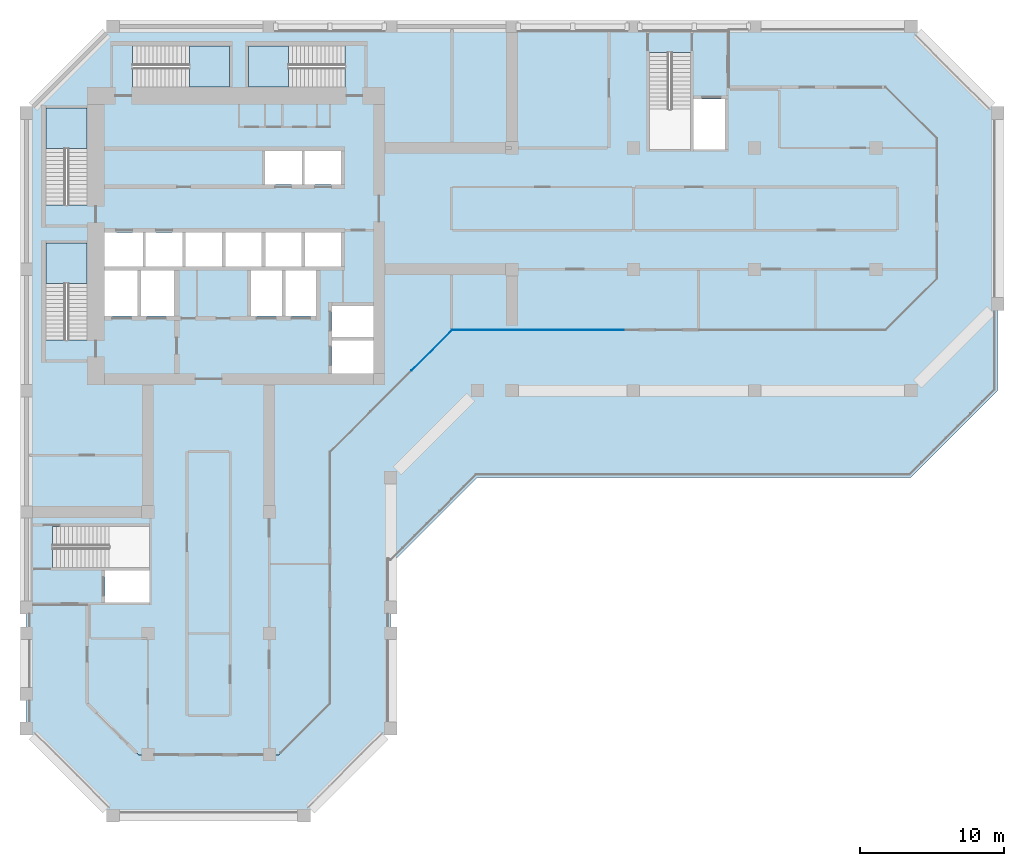
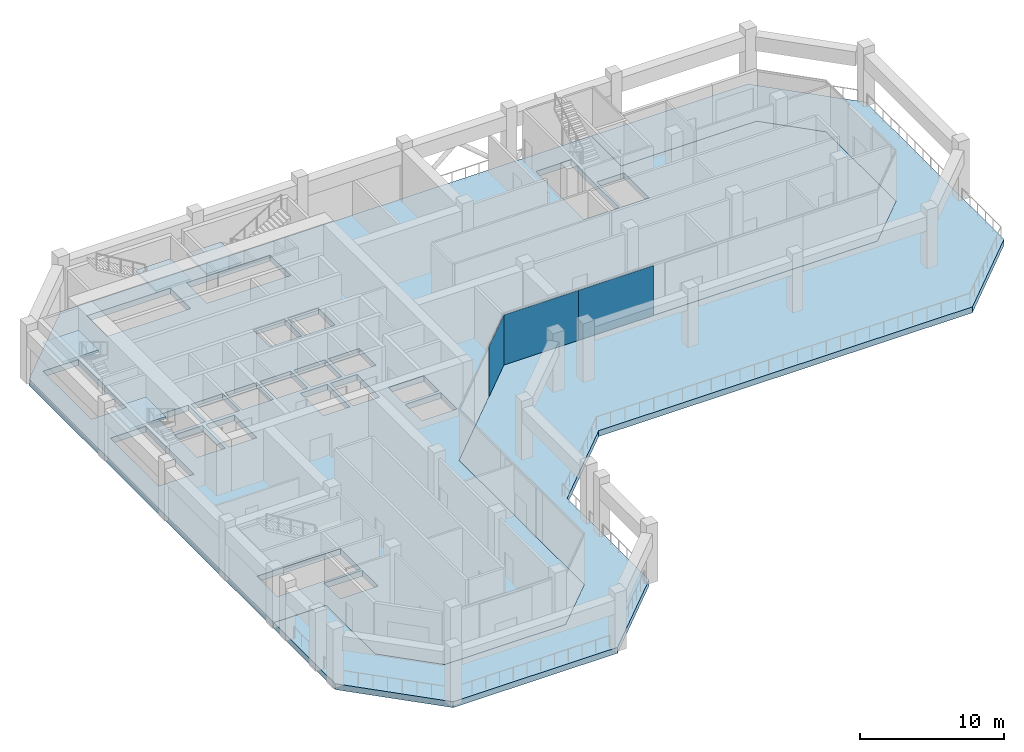
# One storey, part 3 of 14: 6 slabs, 3 plates, 6 elements without a shape of their own.
"""IFC4 building model written with IfcOpenShell, lengths in metres."""

from ifc_helpers import new_model, si_unit, direction, frame, origin, origin_2d, place, context, subcontext, project, spatial, polyline, rectangle, outline, extrude, material, layer, layer_set, type_object, element, aggregate, save


model = new_model("IFC4")

# Units and contexts
model_context = context("Model", 3, precision=1e-05, world=origin(), true_north=direction((0.0, 1.0)))
body_context = subcontext(model_context, "Body", "Model", "MODEL_VIEW")
ifc_project = project(units=[si_unit("LENGTHUNIT", "METRE"), si_unit("AREAUNIT", "SQUARE_METRE"), si_unit("VOLUMEUNIT", "CUBIC_METRE"), si_unit("PLANEANGLEUNIT", "RADIAN"), si_unit("MASSUNIT", "GRAM", prefix="KILO")], contexts=[model_context])

# Site, building, storey
site_placement = place(None, origin())
site = spatial("IfcSite", under=ifc_project, at=site_placement, CompositionType="ELEMENT")
building_placement = place(site_placement, origin())
building = spatial("IfcBuilding", under=site, at=building_placement, Name="Kawkab Arch Medical Tower", CompositionType="ELEMENT")
storey_placement = place(building_placement, frame((0.0, 0.0, 213.0)))
storey = spatial("IfcBuildingStorey", under=building, at=storey_placement, Name="L49", CompositionType="ELEMENT", Elevation=213.0)

# Curtain wall, plate
ifc_material_1 = material(Name="Bronze anodised aluminium curtain wall frame", Category="aluminium")
ifc_layer_1 = layer(ifc_material_1, 0.159912109375)
ifc_layer_set_1 = layer_set([ifc_layer_1], Name="Bronze anodised aluminium curtain wall frame")
curtain_wall_type = type_object("IfcCurtainWallType", Name="CW4 refuge floor fire-protected glazing", PredefinedType="NOTDEFINED", material=ifc_layer_set_1)
placement_1 = place(storey_placement, origin())
curtain_wall_1 = element("IfcCurtainWall", 1, at=placement_1, inside=storey, type_object=curtain_wall_type, Name="CW4 Refuge floor fire-protected glazing R10", PredefinedType="NOTDEFINED")
ifc_material_2 = material(Name="Fire-resisting laminated glass", Category="glass")
ifc_layer_2 = layer(ifc_material_2, 0.0400390625)
ifc_layer_set_2 = layer_set([ifc_layer_2], Name="Fire-resisting laminated glass")
plate_type = type_object("IfcPlateType", Name="CW4 glazing unit 40", PredefinedType="CURTAIN_PANEL", material=ifc_layer_set_2)
plate_1_placement = place(storey_placement, frame((28.050048828125, -22.409912109375, 0.0), z_axis=(0.0, 0.0, 1.0), x_axis=(0.707106781187, 0.707106781187, 0.0)))
plate_1 = element("IfcPlate", 2, at=plate_1_placement, type_object=plate_type, Name="CW4 glazing unit 3.1", PredefinedType="CURTAIN_PANEL", context=body_context, shape_type="SweptSolid", body=[
    extrude(rectangle(XDim=3.988037109375, YDim=0.0400390625, at=origin_2d()), origin(), (0.0, 0.0, 1.0), 4.239990234375),
])
aggregate(curtain_wall_1, [plate_1])

# Curtain wall, plates
curtain_wall_2 = element("IfcCurtainWall", 3, at=placement_1, inside=storey, type_object=curtain_wall_type, Name="CW4 Refuge floor fire-protected glazing R11", PredefinedType="NOTDEFINED")
plate_2_placement = place(storey_placement, frame((32.4599609375, -21.0, 0.0), z_axis=(0.0, 0.0, 1.0), x_axis=(1.0, 0.0, 0.0)))
plate_2 = element("IfcPlate", 4, at=plate_2_placement, type_object=plate_type, Name="CW4 glazing unit 1.1", PredefinedType="CURTAIN_PANEL", context=body_context, shape_type="SweptSolid", body=[
    extrude(rectangle(XDim=6.0, YDim=0.0400390625, at=origin_2d()), origin(), (0.0, 0.0, 1.0), 4.239990234375),
])
plate_3_placement = place(storey_placement, frame((38.4599609375, -21.0, 0.0), z_axis=(0.0, 0.0, 1.0), x_axis=(1.0, 0.0, 0.0)))
plate_3 = element("IfcPlate", 5, at=plate_3_placement, type_object=plate_type, Name="CW4 glazing unit 2.1", PredefinedType="CURTAIN_PANEL", context=body_context, shape_type="SweptSolid", body=[
    extrude(rectangle(XDim=6.0, YDim=0.0400390625, at=origin_2d()), origin(), (0.0, 0.0, 1.0), 4.239990234375),
])
aggregate(curtain_wall_2, [plate_2, plate_3])

# Stair, slab
ifc_material_3 = material(Name="Concrete C40/50", Category="concrete")
stair_type = type_object("IfcStairType", Name="Exit stair 1350", PredefinedType="HALF_TURN_STAIR", material=ifc_material_3)
stair_1 = element("IfcStair", 6, at=placement_1, inside=storey, type_object=stair_type, Name="L49 Exit stair ST1", PredefinedType="HALF_TURN_STAIR")
ifc_material_4 = material(Name="Concrete C40/50", Category="concrete")
ifc_layer_3 = layer(ifc_material_4, 0.199951171875)
ifc_layer_set_3 = layer_set([ifc_layer_3], Name="Concrete C40/50")
slab_type_1 = type_object("IfcSlabType", Name="Exit stair landing 200", PredefinedType="LANDING", material=ifc_layer_set_3)
placement_2 = place(storey_placement, frame((0.0, 0.0, 2.300048828125)))
slab_1 = element("IfcSlab", 7, at=placement_2, type_object=slab_type_1, Name="ST1 landing 1", PredefinedType="LANDING", context=body_context, shape_type="SweptSolid", body=[
    extrude(outline(polyline([(4.199951171875, -8.429931640625), (4.199951171875, -5.64990234375), (1.35009765625, -5.64990234375), (1.35009765625, -8.429931640625), (4.199951171875, -8.429931640625)])), origin(), (0.0, 0.0, 1.0), 0.199951171875),
])
aggregate(stair_1, [slab_1])

stair_2 = element("IfcStair", 8, at=placement_1, inside=storey, type_object=stair_type, Name="L49 Exit stair ST2", PredefinedType="HALF_TURN_STAIR")
slab_2 = element("IfcSlab", 9, at=placement_2, type_object=slab_type_1, Name="ST2 landing 1", PredefinedType="LANDING", context=body_context, shape_type="SweptSolid", body=[
    extrude(outline(polyline([(4.199951171875, -17.780029296875), (4.199951171875, -15.0), (1.35009765625, -15.0), (1.35009765625, -17.780029296875), (4.199951171875, -17.780029296875)])), origin(), (0.0, 0.0, 1.0), 0.199951171875),
])
aggregate(stair_2, [slab_2])

stair_3 = element("IfcStair", 10, at=placement_1, inside=storey, type_object=stair_type, Name="L49 Exit stair ST3", PredefinedType="HALF_TURN_STAIR")
slab_3 = element("IfcSlab", 11, at=placement_2, type_object=slab_type_1, Name="ST3 landing 1", PredefinedType="LANDING", context=body_context, shape_type="SweptSolid", body=[
    extrude(outline(polyline([(11.27001953125, -4.199951171875), (14.050048828125, -4.199951171875), (14.050048828125, -1.35009765625), (11.27001953125, -1.35009765625), (11.27001953125, -4.199951171875)])), origin(), (0.0, 0.0, 1.0), 0.199951171875),
])
aggregate(stair_3, [slab_3])

stair_4 = element("IfcStair", 12, at=placement_1, inside=storey, type_object=stair_type, Name="L49 Exit stair ST4", PredefinedType="HALF_TURN_STAIR")
slab_4 = element("IfcSlab", 13, at=placement_2, type_object=slab_type_1, Name="ST4 landing 1", PredefinedType="LANDING", context=body_context, shape_type="SweptSolid", body=[
    extrude(outline(polyline([(18.1298828125, -1.35009765625), (15.35009765625, -1.35009765625), (15.35009765625, -4.199951171875), (18.1298828125, -4.199951171875), (18.1298828125, -1.35009765625)])), origin(), (0.0, 0.0, 1.0), 0.199951171875),
])
aggregate(stair_4, [slab_4])

# Slabs
ifc_material_5 = material(Name="Concrete C45/55", Category="concrete")
ifc_layer_4 = layer(ifc_material_5, 0.5)
ifc_layer_set_4 = layer_set([ifc_layer_4], Name="Concrete C45/55")
slab_type_2 = type_object("IfcSlabType", Name="Refuge terrace slab 500", PredefinedType="FLOOR", material=ifc_layer_set_4)
placement_3 = place(storey_placement, frame((0.0, 0.0, -0.5)))
element("IfcSlab", 14, at=placement_3, inside=storey, type_object=slab_type_2, Name="Refuge terrace slab L49.1", PredefinedType="FLOOR", context=body_context, shape_type="SweptSolid", body=[
    extrude(outline(polyline([(0.0, -40.050048828125), (0.0, -40.050048828125), (4.199951171875, -40.050048828125), (4.199951171875, -40.050048828125), (4.199951171875, -40.050048828125), (4.199951171875, -46.860107421875), (7.739990234375, -50.39990234375), (7.740966796875, -50.40087890625), (17.458984375, -50.40087890625), (17.4599609375, -50.39990234375), (21.0, -46.860107421875), (21.0, -29.4599609375), (21.0, -29.4599609375), (21.0, -29.4599609375), (29.4599609375, -21.0), (29.4599609375, -21.0), (29.4599609375, -21.0), (59.4599609375, -21.0), (63.0, -17.4599609375), (63.0009765625, -17.458984375), (63.0009765625, -7.740966796875), (63.0, -7.739990234375), (59.4599609375, -4.199951171875), (48.60107421875, -4.199951171875), (48.60107421875, -4.199951171875), (48.60107421875, -4.199951171875), (48.60107421875, 0.0), (48.60107421875, 0.0), (48.60107421875, 0.0), (61.199951171875, 0.0), (61.199951171875, 0.0), (61.199951171875, 0.0), (67.199951171875, -6.0), (67.199951171875, -6.0), (67.199951171875, -6.0), (67.199951171875, -19.199951171875), (67.199951171875, -19.199951171875), (67.199951171875, -19.199951171875), (67.18505859375, -19.215087890625), (67.193115234375, -19.215087890625), (67.193115234375, -19.215087890625), (67.193115234375, -19.215087890625), (67.194091796875, -19.216064453125), (67.195068359375, -19.216064453125), (67.195068359375, -19.216064453125), (67.196044921875, -19.217041015625), (67.197021484375, -19.218017578125), (67.197998046875, -19.218994140625), (67.198974609375, -19.219970703125), (67.198974609375, -19.219970703125), (67.198974609375, -19.220947265625), (67.199951171875, -19.221923828125), (67.199951171875, -19.221923828125), (67.199951171875, -19.221923828125), (67.199951171875, -25.198974609375), (67.199951171875, -25.198974609375), (67.199951171875, -25.198974609375), (67.198974609375, -25.199951171875), (67.198974609375, -25.200927734375), (67.197998046875, -25.200927734375), (67.197998046875, -25.201904296875), (67.197998046875, -25.201904296875), (67.197021484375, -25.202880859375), (61.202880859375, -31.197021484375), (61.201904296875, -31.197998046875), (61.201904296875, -31.197998046875), (61.200927734375, -31.197998046875), (61.200927734375, -31.198974609375), (61.199951171875, -31.198974609375), (61.198974609375, -31.199951171875), (61.198974609375, -31.199951171875), (61.198974609375, -31.199951171875), (31.199951171875, -31.199951171875), (25.218017578125, -37.181884765625), (25.216064453125, -37.18408203125), (25.216064453125, -37.18408203125), (25.215087890625, -37.18408203125), (25.214111328125, -37.18505859375), (25.214111328125, -37.18505859375), (25.214111328125, -37.18505859375), (25.20703125, -37.18505859375), (25.20703125, -37.18505859375), (25.20703125, -37.18505859375), (25.2060546875, -37.18408203125), (25.205078125, -37.18408203125), (25.199951171875, -37.178955078125), (25.199951171875, -48.60009765625), (25.199951171875, -48.60009765625), (25.199951171875, -48.60009765625), (19.199951171875, -54.60009765625), (19.199951171875, -54.60009765625), (19.199951171875, -54.60009765625), (6.0, -54.60009765625), (6.0, -54.60009765625), (6.0, -54.60009765625), (0.0, -48.60009765625), (0.0, -48.60009765625), (0.0, -48.60009765625), (0.0, -40.050048828125), (0.0, -40.050048828125)])), origin(), (0.0, 0.0, 1.0), 0.5),
])
ifc_material_6 = material(Name="Concrete C45/55", Category="concrete")
ifc_layer_5 = layer(ifc_material_6, 0.5)
ifc_layer_set_5 = layer_set([ifc_layer_5], Name="Concrete C45/55")
slab_type_3 = type_object("IfcSlabType", Name="Transfer plate 500 C45/55", PredefinedType="FLOOR", material=ifc_layer_set_5)
element("IfcSlab", 15, at=placement_3, inside=storey, type_object=slab_type_3, Name="Floor slab L49", PredefinedType="FLOOR", context=body_context, shape_type="SweptSolid", body=[
    extrude(outline(polyline([(48.60107421875, 0.0), (48.60107421875, -0.300048828125), (48.60107421875, -4.199951171875), (59.4599609375, -4.199951171875), (63.0, -7.739990234375), (63.0009765625, -7.739990234375), (63.0009765625, -17.4599609375), (63.0, -17.4599609375), (59.4599609375, -21.0), (29.4599609375, -21.0), (21.0, -29.4599609375), (21.0, -46.860107421875), (17.4599609375, -50.39990234375), (17.4599609375, -50.40087890625), (7.739990234375, -50.40087890625), (7.739990234375, -50.39990234375), (4.199951171875, -46.860107421875), (4.199951171875, -40.050048828125), (0.300048828125, -40.050048828125), (0.0, -40.050048828125), (0.0, -6.0), (6.0, 0.0), (48.60107421875, 0.0)]), holes=[polyline([(5.425048828125, -37.64990234375), (5.425048828125, -39.85009765625), (8.5, -39.85009765625), (8.5, -37.64990234375), (5.425048828125, -37.64990234375)]), polyline([(8.5, -37.449951171875), (8.5, -34.60009765625), (1.800048828125, -34.60009765625), (1.800048828125, -37.449951171875), (8.5, -37.449951171875)]), polyline([(5.39990234375, -20.050048828125), (7.675048828125, -20.050048828125), (7.675048828125, -16.89990234375), (5.39990234375, -16.89990234375), (5.39990234375, -20.050048828125)]), polyline([(10.199951171875, -20.050048828125), (10.199951171875, -16.89990234375), (7.925048828125, -16.89990234375), (7.925048828125, -20.050048828125), (10.199951171875, -20.050048828125)]), polyline([(4.199951171875, -21.699951171875), (4.199951171875, -15.0), (1.35009765625, -15.0), (1.35009765625, -21.699951171875), (4.199951171875, -21.699951171875)]), polyline([(5.39990234375, -16.60009765625), (8.050048828125, -16.60009765625), (8.050048828125, -14.25), (5.39990234375, -14.25), (5.39990234375, -16.60009765625)]), polyline([(8.25, -16.60009765625), (10.800048828125, -16.60009765625), (10.800048828125, -14.25), (8.25, -14.25), (8.25, -16.60009765625)]), polyline([(11.0, -14.25), (11.0, -16.60009765625), (13.52490234375, -16.60009765625), (13.52490234375, -14.25), (11.0, -14.25)]), polyline([(13.77490234375, -16.60009765625), (16.27490234375, -16.60009765625), (16.27490234375, -14.25), (13.77490234375, -14.25), (13.77490234375, -16.60009765625)]), polyline([(4.199951171875, -12.35009765625), (4.199951171875, -5.64990234375), (1.35009765625, -5.64990234375), (1.35009765625, -12.35009765625), (4.199951171875, -12.35009765625)]), polyline([(7.35009765625, -4.199951171875), (14.050048828125, -4.199951171875), (14.050048828125, -1.35009765625), (7.35009765625, -1.35009765625), (7.35009765625, -4.199951171875)]), polyline([(24.0, -21.72509765625), (21.14990234375, -21.72509765625), (21.14990234375, -24.0), (24.0, -24.0), (24.0, -21.72509765625)]), polyline([(24.0, -19.35009765625), (21.14990234375, -19.35009765625), (21.14990234375, -21.47509765625), (24.0, -21.47509765625), (24.0, -19.35009765625)]), polyline([(17.675048828125, -20.050048828125), (17.675048828125, -16.89990234375), (15.52490234375, -16.89990234375), (15.52490234375, -20.050048828125), (17.675048828125, -20.050048828125)]), polyline([(17.925048828125, -20.050048828125), (20.050048828125, -20.050048828125), (20.050048828125, -16.89990234375), (17.925048828125, -16.89990234375), (17.925048828125, -20.050048828125)]), polyline([(19.02490234375, -16.60009765625), (19.02490234375, -14.25), (16.52490234375, -14.25), (16.52490234375, -16.60009765625), (19.02490234375, -16.60009765625)]), polyline([(21.75, -16.60009765625), (21.75, -14.25), (19.27490234375, -14.25), (19.27490234375, -16.60009765625), (21.75, -16.60009765625)]), polyline([(16.5, -8.60009765625), (16.5, -10.949951171875), (19.050048828125, -10.949951171875), (19.050048828125, -8.60009765625), (16.5, -8.60009765625)]), polyline([(19.25, -10.949951171875), (21.75, -10.949951171875), (21.75, -8.60009765625), (19.25, -8.60009765625), (19.25, -10.949951171875)]), polyline([(46.14990234375, -8.5), (48.35009765625, -8.5), (48.35009765625, -5.02490234375), (46.14990234375, -5.02490234375), (46.14990234375, -8.5)]), polyline([(43.10009765625, -1.800048828125), (43.10009765625, -8.5), (45.949951171875, -8.5), (45.949951171875, -1.800048828125), (43.10009765625, -1.800048828125)]), polyline([(22.050048828125, -1.35009765625), (15.35009765625, -1.35009765625), (15.35009765625, -4.199951171875), (22.050048828125, -4.199951171875), (22.050048828125, -1.35009765625)])]), origin(), (0.0, 0.0, 1.0), 0.5),
])

save(model, "model.ifc")
